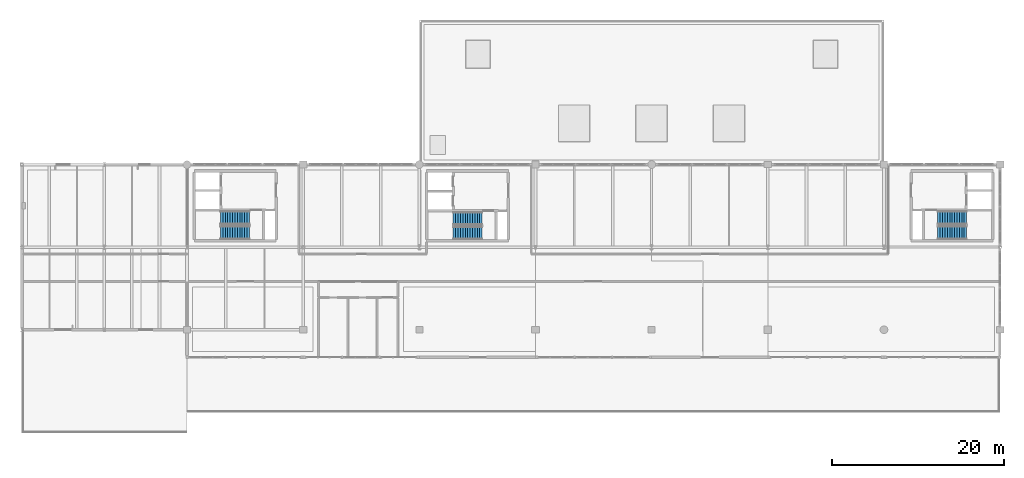
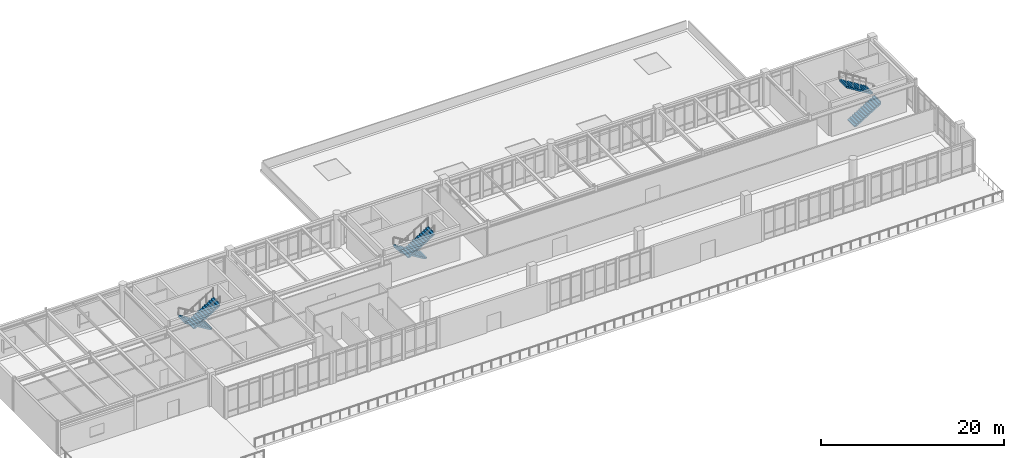
# One storey, part 50 of 55: 6 stair flights, 3 elements without a shape of their own.
"""IFC4 building model written with IfcOpenShell, lengths in metres."""

from ifc_helpers import new_model, si_unit, direction, frame, origin, place, context, subcontext, project, spatial, polyline, outline, extrude, material, type_object, element, aggregate, save


model = new_model("IFC4")

# Units and contexts
model_context = context("Model", 3, precision=1e-05, world=origin(), true_north=direction((0.0, 1.0)))
body_context = subcontext(model_context, "Body", "Model", "MODEL_VIEW")
ifc_project = project(units=[si_unit("LENGTHUNIT", "METRE"), si_unit("AREAUNIT", "SQUARE_METRE"), si_unit("VOLUMEUNIT", "CUBIC_METRE"), si_unit("PLANEANGLEUNIT", "RADIAN"), si_unit("MASSUNIT", "GRAM", prefix="KILO")], contexts=[model_context])

# Site, building, storey
site_placement = place(None, origin())
site = spatial("IfcSite", under=ifc_project, at=site_placement, CompositionType="ELEMENT")
building_placement = place(site_placement, origin())
building = spatial("IfcBuilding", under=site, at=building_placement, Name="Fikremerkos Civic Library", CompositionType="ELEMENT")
storey_placement = place(building_placement, frame((0.0, 0.0, 18.89990234375)))
storey = spatial("IfcBuildingStorey", under=building, at=storey_placement, Name="L04", CompositionType="ELEMENT", Elevation=18.89990234375)

# Stair, stair flights
ifc_material = material(Name="Concrete C40/50", Category="concrete")
stair_type_1 = type_object("IfcStairType", Name="Half turn stair ST-HT-03 W1550 H4500", PredefinedType="HALF_TURN_STAIR", material=ifc_material)
stair_1_placement = place(storey_placement, origin())
stair_1 = element("IfcStair", 1, at=stair_1_placement, inside=storey, type_object=stair_type_1, Name="L04 ST-K1", PredefinedType="HALF_TURN_STAIR")
stair_flight_type_1 = type_object("IfcStairFlightType", Name="Straight stair flight SFL-03 W1550 H2250", PredefinedType="STRAIGHT", material=ifc_material)
stair_flight_1_placement = place(storey_placement, frame((26.449951171875, 25.02490234375, 0.0), z_axis=(0.0, 0.0, 1.0), x_axis=(-1.0, 0.0, 0.0)))
stair_flight_1 = element("IfcStairFlight", 2, at=stair_flight_1_placement, type_object=stair_flight_type_1, Name="ST-K1 flight 1", NumberOfRisers=13, NumberOfTreads=12, PredefinedType="STRAIGHT", RiserHeight=0.173076923, TreadLength=0.28, context=body_context, shape_type="SweptSolid", body=[
    extrude(outline(polyline([(-0.0048828125, 0.0), (-0.0048828125, 0.173095703125), (0.280029296875, 0.173095703125), (0.280029296875, 0.34619140625), (0.56005859375, 0.34619140625), (0.56005859375, 0.519287109375), (0.840087890625, 0.519287109375), (0.840087890625, 0.6923828125), (1.1201171875, 0.6923828125), (1.1201171875, 0.865478515625), (1.39990234375, 0.865478515625), (1.39990234375, 1.03857421875), (1.679931640625, 1.03857421875), (1.679931640625, 1.21142578125), (1.9599609375, 1.21142578125), (1.9599609375, 1.384521484375), (2.239990234375, 1.384521484375), (2.239990234375, 1.5576171875), (2.52001953125, 1.5576171875), (2.52001953125, 1.730712890625), (2.800048828125, 1.730712890625), (2.800048828125, 1.90380859375), (3.080078125, 1.90380859375), (3.080078125, 2.076904296875), (3.360107421875, 2.076904296875), (3.360107421875, 2.25), (3.364990234375, 2.25), (3.364990234375, 1.900634765625), (0.28515625, 0.0), (-0.0048828125, 0.0)])), frame((0.0, 0.77490234375, 0.0), z_axis=(0.0, -1.0, 0.0), x_axis=(1.0, 0.0, 0.0)), (0.0, 0.0, 1.0), 1.550048828125),
])
stair_flight_2_placement = place(storey_placement, frame((23.090087890625, 23.27490234375, 2.25), z_axis=(0.0, 0.0, 1.0), x_axis=(1.0, 0.0, 0.0)))
stair_flight_2 = element("IfcStairFlight", 3, at=stair_flight_2_placement, type_object=stair_flight_type_1, Name="ST-K1 flight 2", NumberOfRisers=13, NumberOfTreads=12, PredefinedType="STRAIGHT", RiserHeight=0.173076923, TreadLength=0.28, context=body_context, shape_type="SweptSolid", body=[
    extrude(outline(polyline([(-0.0048828125, 0.0), (-0.0048828125, 0.173095703125), (0.280029296875, 0.173095703125), (0.280029296875, 0.34619140625), (0.56005859375, 0.34619140625), (0.56005859375, 0.519287109375), (0.840087890625, 0.519287109375), (0.840087890625, 0.6923828125), (1.1201171875, 0.6923828125), (1.1201171875, 0.865478515625), (1.39990234375, 0.865478515625), (1.39990234375, 1.03857421875), (1.679931640625, 1.03857421875), (1.679931640625, 1.21142578125), (1.9599609375, 1.21142578125), (1.9599609375, 1.384521484375), (2.239990234375, 1.384521484375), (2.239990234375, 1.5576171875), (2.52001953125, 1.5576171875), (2.52001953125, 1.730712890625), (2.800048828125, 1.730712890625), (2.800048828125, 1.90380859375), (3.080078125, 1.90380859375), (3.080078125, 2.076904296875), (3.360107421875, 2.076904296875), (3.360107421875, 2.25), (3.364990234375, 2.25), (3.364990234375, 1.900634765625), (0.28515625, 0.0), (-0.0048828125, 0.0)])), frame((0.0, 0.77490234375, 0.0), z_axis=(0.0, -1.0, 0.0), x_axis=(1.0, 0.0, 0.0)), (0.0, 0.0, 1.0), 1.550048828125),
])
aggregate(stair_1, [stair_flight_1, stair_flight_2])

stair_2_placement = place(storey_placement, origin())
stair_2 = element("IfcStair", 4, at=stair_2_placement, inside=storey, type_object=stair_type_1, Name="L04 ST-K2", PredefinedType="HALF_TURN_STAIR")
stair_flight_3_placement = place(storey_placement, frame((106.449951171875, 23.27490234375, 0.0), z_axis=(0.0, 0.0, 1.0), x_axis=(1.0, 0.0, 0.0)))
stair_flight_3 = element("IfcStairFlight", 5, at=stair_flight_3_placement, type_object=stair_flight_type_1, Name="ST-K2 flight 1", NumberOfRisers=13, NumberOfTreads=12, PredefinedType="STRAIGHT", RiserHeight=0.173076923, TreadLength=0.28, context=body_context, shape_type="SweptSolid", body=[
    extrude(outline(polyline([(-0.0048828125, 0.0), (-0.0048828125, 0.173095703125), (0.280029296875, 0.173095703125), (0.280029296875, 0.34619140625), (0.56005859375, 0.34619140625), (0.56005859375, 0.519287109375), (0.840087890625, 0.519287109375), (0.840087890625, 0.6923828125), (1.1201171875, 0.6923828125), (1.1201171875, 0.865478515625), (1.39990234375, 0.865478515625), (1.39990234375, 1.03857421875), (1.679931640625, 1.03857421875), (1.679931640625, 1.21142578125), (1.9599609375, 1.21142578125), (1.9599609375, 1.384521484375), (2.239990234375, 1.384521484375), (2.239990234375, 1.5576171875), (2.52001953125, 1.5576171875), (2.52001953125, 1.730712890625), (2.800048828125, 1.730712890625), (2.800048828125, 1.90380859375), (3.080078125, 1.90380859375), (3.080078125, 2.076904296875), (3.360107421875, 2.076904296875), (3.360107421875, 2.25), (3.364990234375, 2.25), (3.364990234375, 1.900634765625), (0.28515625, 0.0), (-0.0048828125, 0.0)])), frame((0.0, 0.77490234375, 0.0), z_axis=(0.0, -1.0, 0.0), x_axis=(1.0, 0.0, 0.0)), (0.0, 0.0, 1.0), 1.550048828125),
])
stair_flight_4_placement = place(storey_placement, frame((109.81005859375, 25.02490234375, 2.25), z_axis=(0.0, 0.0, 1.0), x_axis=(-1.0, 0.0, 0.0)))
stair_flight_4 = element("IfcStairFlight", 6, at=stair_flight_4_placement, type_object=stair_flight_type_1, Name="ST-K2 flight 2", NumberOfRisers=13, NumberOfTreads=12, PredefinedType="STRAIGHT", RiserHeight=0.173076923, TreadLength=0.28, context=body_context, shape_type="SweptSolid", body=[
    extrude(outline(polyline([(-0.0048828125, 0.0), (-0.0048828125, 0.173095703125), (0.280029296875, 0.173095703125), (0.280029296875, 0.34619140625), (0.56005859375, 0.34619140625), (0.56005859375, 0.519287109375), (0.840087890625, 0.519287109375), (0.840087890625, 0.6923828125), (1.1201171875, 0.6923828125), (1.1201171875, 0.865478515625), (1.39990234375, 0.865478515625), (1.39990234375, 1.03857421875), (1.679931640625, 1.03857421875), (1.679931640625, 1.21142578125), (1.9599609375, 1.21142578125), (1.9599609375, 1.384521484375), (2.239990234375, 1.384521484375), (2.239990234375, 1.5576171875), (2.52001953125, 1.5576171875), (2.52001953125, 1.730712890625), (2.800048828125, 1.730712890625), (2.800048828125, 1.90380859375), (3.080078125, 1.90380859375), (3.080078125, 2.076904296875), (3.360107421875, 2.076904296875), (3.360107421875, 2.25), (3.364990234375, 2.25), (3.364990234375, 1.900634765625), (0.28515625, 0.0), (-0.0048828125, 0.0)])), frame((0.0, 0.77490234375, 0.0), z_axis=(0.0, -1.0, 0.0), x_axis=(1.0, 0.0, 0.0)), (0.0, 0.0, 1.0), 1.550048828125),
])
aggregate(stair_2, [stair_flight_3, stair_flight_4])

stair_type_2 = type_object("IfcStairType", Name="Half turn stair ST-HT-06 W1500 H4500", PredefinedType="HALF_TURN_STAIR", material=ifc_material)
stair_3_placement = place(storey_placement, origin())
stair_3 = element("IfcStair", 7, at=stair_3_placement, inside=storey, type_object=stair_type_2, Name="L04 ST-K3", PredefinedType="HALF_TURN_STAIR")
stair_flight_type_2 = type_object("IfcStairFlightType", Name="Straight stair flight SFL-06 W1500 H2250", PredefinedType="STRAIGHT", material=ifc_material)
stair_flight_5_placement = place(storey_placement, frame((53.5, 24.949951171875, 0.0), z_axis=(0.0, 0.0, 1.0), x_axis=(-1.0, 0.0, 0.0)))
stair_flight_5 = element("IfcStairFlight", 8, at=stair_flight_5_placement, type_object=stair_flight_type_2, Name="ST-K3 flight 1", NumberOfRisers=13, NumberOfTreads=12, PredefinedType="STRAIGHT", RiserHeight=0.173076923, TreadLength=0.28, context=body_context, shape_type="SweptSolid", body=[
    extrude(outline(polyline([(-0.0048828125, 0.0), (-0.0048828125, 0.173095703125), (0.280029296875, 0.173095703125), (0.280029296875, 0.34619140625), (0.56005859375, 0.34619140625), (0.56005859375, 0.519287109375), (0.840087890625, 0.519287109375), (0.840087890625, 0.6923828125), (1.1201171875, 0.6923828125), (1.1201171875, 0.865478515625), (1.39990234375, 0.865478515625), (1.39990234375, 1.03857421875), (1.679931640625, 1.03857421875), (1.679931640625, 1.21142578125), (1.9599609375, 1.21142578125), (1.9599609375, 1.384521484375), (2.239990234375, 1.384521484375), (2.239990234375, 1.5576171875), (2.52001953125, 1.5576171875), (2.52001953125, 1.730712890625), (2.800048828125, 1.730712890625), (2.800048828125, 1.90380859375), (3.080078125, 1.90380859375), (3.080078125, 2.076904296875), (3.360107421875, 2.076904296875), (3.360107421875, 2.25), (3.364990234375, 2.25), (3.364990234375, 1.900634765625), (0.28515625, 0.0), (-0.0048828125, 0.0)])), frame((0.0, 0.75, 0.0), z_axis=(0.0, -1.0, 0.0), x_axis=(1.0, 0.0, 0.0)), (0.0, 0.0, 1.0), 1.5),
])
stair_flight_6_placement = place(storey_placement, frame((50.139892578125, 23.25, 2.25), z_axis=(0.0, 0.0, 1.0), x_axis=(1.0, 0.0, 0.0)))
stair_flight_6 = element("IfcStairFlight", 9, at=stair_flight_6_placement, type_object=stair_flight_type_2, Name="ST-K3 flight 2", NumberOfRisers=13, NumberOfTreads=12, PredefinedType="STRAIGHT", RiserHeight=0.173076923, TreadLength=0.28, context=body_context, shape_type="SweptSolid", body=[
    extrude(outline(polyline([(-0.0048828125, 0.0), (-0.0048828125, 0.173095703125), (0.280029296875, 0.173095703125), (0.280029296875, 0.34619140625), (0.56005859375, 0.34619140625), (0.56005859375, 0.519287109375), (0.840087890625, 0.519287109375), (0.840087890625, 0.6923828125), (1.1201171875, 0.6923828125), (1.1201171875, 0.865478515625), (1.39990234375, 0.865478515625), (1.39990234375, 1.03857421875), (1.679931640625, 1.03857421875), (1.679931640625, 1.21142578125), (1.9599609375, 1.21142578125), (1.9599609375, 1.384521484375), (2.239990234375, 1.384521484375), (2.239990234375, 1.5576171875), (2.52001953125, 1.5576171875), (2.52001953125, 1.730712890625), (2.800048828125, 1.730712890625), (2.800048828125, 1.90380859375), (3.080078125, 1.90380859375), (3.080078125, 2.076904296875), (3.360107421875, 2.076904296875), (3.360107421875, 2.25), (3.364990234375, 2.25), (3.364990234375, 1.900634765625), (0.28515625, 0.0), (-0.0048828125, 0.0)])), frame((0.0, 0.75, 0.0), z_axis=(0.0, -1.0, 0.0), x_axis=(1.0, 0.0, 0.0)), (0.0, 0.0, 1.0), 1.5),
])
aggregate(stair_3, [stair_flight_5, stair_flight_6])

save(model, "model.ifc")
